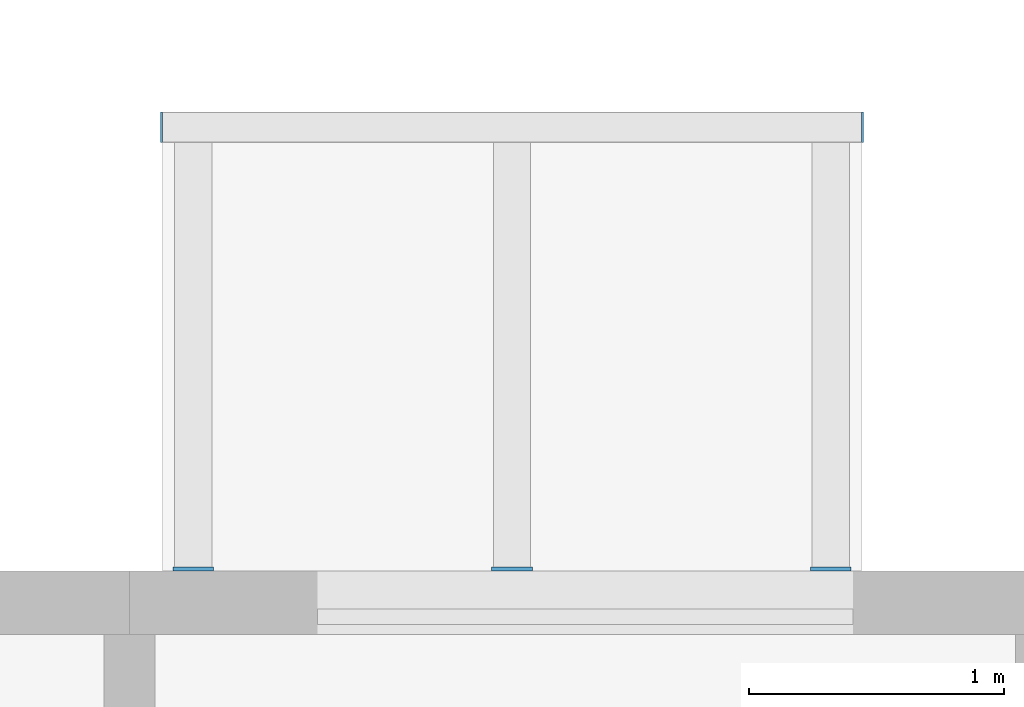
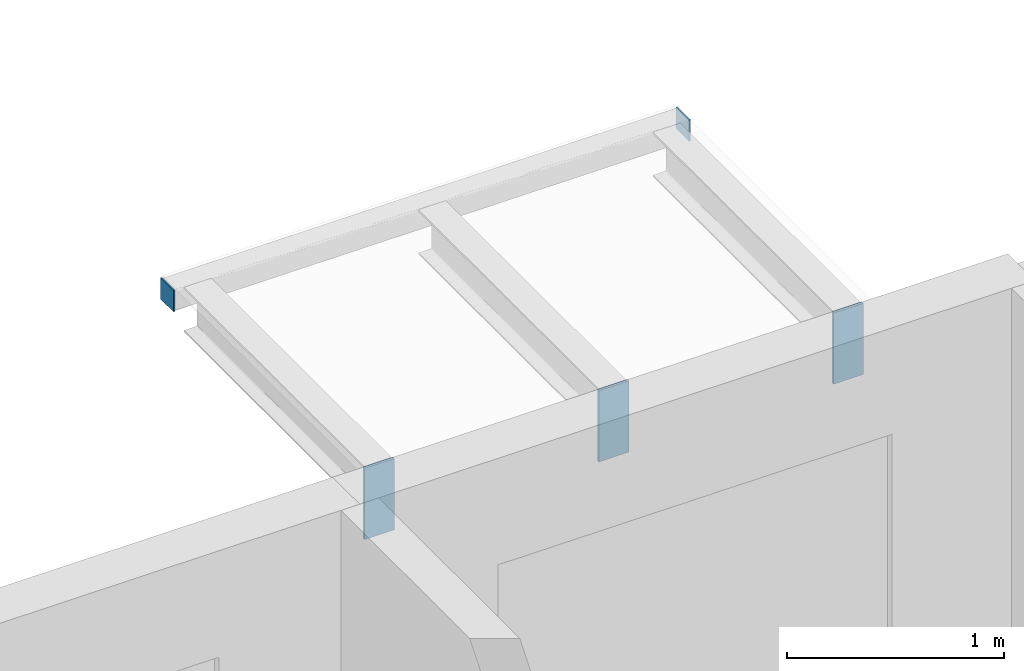
# One storey, part 67 of 99: 5 discrete accessories.
"""IFC4 building model written with IfcOpenShell, lengths in metres."""

from ifc_helpers import new_model, si_unit, direction, frame, origin, origin_2d, place, context, subcontext, project, spatial, rectangle, extrude, material, layer, layer_set, type_object, element, save


model = new_model("IFC4")

# Units and contexts
model_context = context("Model", 3, precision=1e-05, world=origin(), true_north=direction((0.0, 1.0)))
body_context = subcontext(model_context, "Body", "Model", "MODEL_VIEW")
ifc_project = project(units=[si_unit("LENGTHUNIT", "METRE"), si_unit("AREAUNIT", "SQUARE_METRE"), si_unit("VOLUMEUNIT", "CUBIC_METRE"), si_unit("PLANEANGLEUNIT", "RADIAN"), si_unit("MASSUNIT", "GRAM", prefix="KILO")], contexts=[model_context])

# Site, building, storey
site_placement = place(None, origin())
site = spatial("IfcSite", under=ifc_project, at=site_placement, CompositionType="ELEMENT")
building_placement = place(site_placement, origin())
building = spatial("IfcBuilding", under=site, at=building_placement, Name="Ridgestep Commons", CompositionType="ELEMENT")
storey_placement = place(building_placement, frame((0.0, 0.0, 15.0)))
storey = spatial("IfcBuildingStorey", under=building, at=storey_placement, Name="L05", CompositionType="ELEMENT", Elevation=15.0)

# Discrete accessories
ifc_material_1 = material(Name="Weathering steel S355J2W", Category="steel")
ifc_layer_1 = layer(ifc_material_1, 0.014892578125)
ifc_layer_set_1 = layer_set([ifc_layer_1], Name="Tray bracket plate 15")
discrete_accessory_type_1 = type_object("IfcDiscreteAccessoryType", Name="Tray bracket plate 15", PredefinedType="BRACKET", material=ifc_layer_set_1)
for number, where, z_axis, x_axis, name in (
    (1, (69.85009765625, 77.257568359375, 2.588623046875), (0.0, 0.0, 1.0), (1.0, 0.0, 0.0), "Tray bracket B4T3-06.1"),
    (2, (71.10009765625, 77.257568359375, 2.588623046875), (0.0, 0.0, 1.0), (1.0, 0.0, 0.0), "Tray bracket B4T3-06.2"),
    (3, (72.35009765625, 77.257568359375, 2.588623046875), (0.0, 0.0, 1.0), (1.0, 0.0, 0.0), "Tray bracket B4T3-06.3"),
):
    element("IfcDiscreteAccessory", number, at=place(storey_placement, frame(where, z_axis=z_axis, x_axis=x_axis)), inside=storey, type_object=discrete_accessory_type_1, Name=name, PredefinedType="BRACKET", context=body_context, shape_type="SweptSolid", body=[
        extrude(rectangle(XDim=0.159912109375, YDim=0.014892578125, at=origin_2d()), origin(), (0.0, 0.0, 1.0), 0.4013671875),
    ])
ifc_material_2 = material(Name="Weathering steel S355J2W", Category="steel")
ifc_layer_2 = layer(ifc_material_2, 0.008056640625)
ifc_layer_set_2 = layer_set([ifc_layer_2], Name="Tray edge member end plate 120 x 120 x 8")
discrete_accessory_type_2 = type_object("IfcDiscreteAccessoryType", Name="Tray edge member end plate 120 x 120 x 8", PredefinedType="BRACKET", material=ifc_layer_set_2)
for number, where, z_axis, x_axis, name in (
    (4, (69.72607421875, 78.989990234375, 2.869873046875), (0.0, 0.0, 1.0), (1.0, 0.0, 0.0), "Tray edge member end plate B4T3-06 west"),
    (5, (72.47412109375, 78.989990234375, 2.869873046875), (0.0, 0.0, 1.0), (1.0, 0.0, 0.0), "Tray edge member end plate B4T3-06 east"),
):
    element("IfcDiscreteAccessory", number, at=place(storey_placement, frame(where, z_axis=z_axis, x_axis=x_axis)), inside=storey, type_object=discrete_accessory_type_2, Name=name, PredefinedType="BRACKET", context=body_context, shape_type="SweptSolid", body=[
        extrude(rectangle(XDim=0.008056640625, YDim=0.1201171875, at=origin_2d()), origin(), (0.0, 0.0, 1.0), 0.1201171875),
    ])

save(model, "model.ifc")
